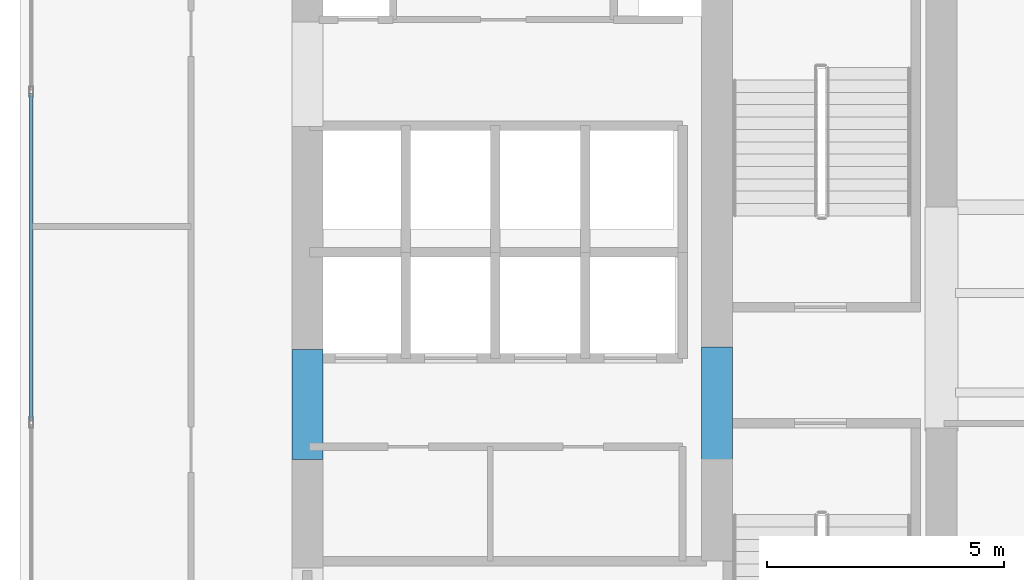
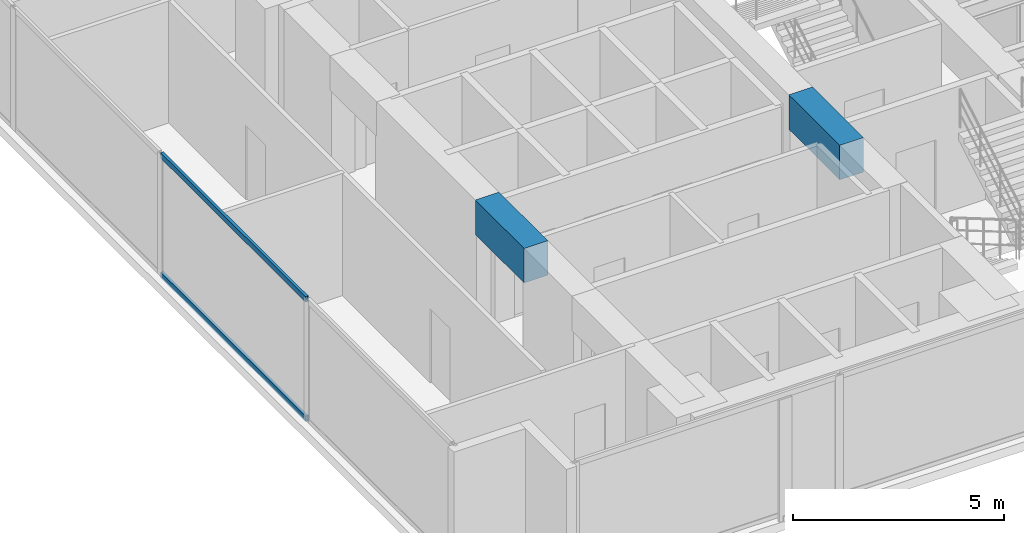
# One storey, part 3 of 26: 2 beams, 2 members, 1 element without a shape of its own.
"""IFC4 building model written with IfcOpenShell, lengths in metres."""

from ifc_helpers import new_model, si_unit, direction, frame, origin, origin_with_axes, origin_2d, place, context, subcontext, project, spatial, rectangle, hollow_rectangle, extrude, source, transform, mapped, material, layer, layer_set, material_profile, profile_set, type_object, element, aggregate, save


model = new_model("IFC4")

# Units and contexts
model_context = context("Model", 3, precision=1e-05, world=origin(), true_north=direction((0.0, 1.0)))
body_context = subcontext(model_context, "Body", "Model", "MODEL_VIEW")
ifc_project = project(units=[si_unit("LENGTHUNIT", "METRE"), si_unit("AREAUNIT", "SQUARE_METRE"), si_unit("VOLUMEUNIT", "CUBIC_METRE"), si_unit("PLANEANGLEUNIT", "RADIAN"), si_unit("MASSUNIT", "GRAM", prefix="KILO")], contexts=[model_context])

# Site, building, storey
site_placement = place(None, origin())
site = spatial("IfcSite", under=ifc_project, at=site_placement, CompositionType="ELEMENT")
building_placement = place(site_placement, origin())
building = spatial("IfcBuilding", under=site, at=building_placement, Name="Kolvaren Waterfront Exchange", CompositionType="ELEMENT")
storey_placement = place(building_placement, frame((0.0, 0.0, 125.89990234375)))
storey = spatial("IfcBuildingStorey", under=building, at=storey_placement, Name="L32", CompositionType="ELEMENT", Elevation=125.89990234375)

# Beams
ifc_material_1 = material(Name="Concrete C60/75", Category="concrete")
ifc_material_profile_1 = material_profile(ifc_material_1, rectangle(XDim=0.64990234375, YDim=1.0, at=origin_2d()), Name="RC-CB-1000x650")
ifc_profile_set_1 = profile_set([ifc_material_profile_1], Name="Concrete C60/75")
beam_type = type_object("IfcBeamType", Name="STR-CB-1000", PredefinedType="SPANDREL", material=ifc_profile_set_1)
beam_1_placement = place(storey_placement, frame((7.449951171875, 12.090087890625, 3.0400390625), z_axis=(0.0, 1.0, 0.0), x_axis=(-1.0, 0.0, 0.0)))
element("IfcBeam", 1, at=beam_1_placement, inside=storey, type_object=beam_type, Name="L32 core coupling beam 4", PredefinedType="SPANDREL", context=body_context, shape_type="SweptSolid", body=[
    extrude(rectangle(XDim=0.64990234375, YDim=1.0, at=origin_2d()), origin(), (0.0, 0.0, 1.0), 2.31982421875),
])
beam_2_placement = place(storey_placement, frame((16.074951171875, 12.0400390625, 3.0400390625), z_axis=(0.0, 1.0, 0.0), x_axis=(-1.0, 0.0, 0.0)))
element("IfcBeam", 2, at=beam_2_placement, inside=storey, type_object=beam_type, Name="L32 core coupling beam 6", PredefinedType="SPANDREL", context=body_context, shape_type="SweptSolid", body=[
    extrude(rectangle(XDim=0.64990234375, YDim=1.0, at=origin_2d()), origin(), (0.0, 0.0, 1.0), 2.419921875),
])

# Curtain wall, members
ifc_material_2 = material(Name="Anodised aluminium 6063-T6", Category="aluminium")
ifc_layer = layer(ifc_material_2, 0.219970703125, Name="Anodised aluminium 6063-T6")
ifc_layer_set = layer_set([ifc_layer], Name="Anodised aluminium 6063-T6")
curtain_wall_type = type_object("IfcCurtainWallType", Name="ARC-CW-SYS2", PredefinedType="USERDEFINED", material=ifc_layer_set)
curtain_wall_placement = place(storey_placement, origin())
curtain_wall = element("IfcCurtainWall", 3, at=curtain_wall_placement, inside=storey, type_object=curtain_wall_type, Name="L32 stick curtain wall CW2 (CW-L32-W)", ObjectType="STICK CURTAIN WALL", PredefinedType="USERDEFINED")
ifc_material_profile_2 = material_profile(ifc_material_2, hollow_rectangle(XDim=0.074951171875, YDim=0.159912109375, WallThickness=0.00439453125, at=origin_2d()), Name="ALU-TRN-160x75x4.5")
ifc_profile_set_2 = profile_set([ifc_material_profile_2], Name="Anodised aluminium 6063-T6")
member_type = type_object("IfcMemberType", Name="ARC-CWT-160", PredefinedType="USERDEFINED", material=ifc_profile_set_2)
shared_shape = source(origin_with_axes(), body_context, "Body", "SweptSolid", [
    extrude(hollow_rectangle(XDim=0.074951171875, YDim=0.159912109375, WallThickness=0.00439453125, at=origin_2d()), origin(), (0.0, 0.0, 1.0), 6.886474609375),
])
member_1_placement = place(storey_placement, frame((1.639892578125, 12.90673828125, 0.03759765625), z_axis=(0.0, 1.0, 0.0), x_axis=(-1.0, 0.0, 0.0)))
member_1 = element("IfcMember", 4, at=member_1_placement, type_object=member_type, Name="CW2 transom 2.1", ObjectType="TRANSOM", PredefinedType="USERDEFINED", context=body_context, shape_type="MappedRepresentation", body=[
    mapped(shared_shape, transform((0.0, 0.0, 0.0), x_axis=(1.0, 0.0, 0.0), y_axis=(0.0, 1.0, 0.0), z_axis=(0.0, 0.0, 1.0), scale=1.0)),
])
member_2_placement = place(storey_placement, frame((1.639892578125, 12.90673828125, 3.502685546875), z_axis=(0.0, 1.0, 0.0), x_axis=(-1.0, 0.0, 0.0)))
member_2 = element("IfcMember", 5, at=member_2_placement, type_object=member_type, Name="CW2 transom 2.2", ObjectType="TRANSOM", PredefinedType="USERDEFINED", context=body_context, shape_type="MappedRepresentation", body=[
    mapped(shared_shape, transform((0.0, 0.0, 0.0), x_axis=(1.0, 0.0, 0.0), y_axis=(0.0, 1.0, 0.0), z_axis=(0.0, 0.0, 1.0), scale=1.0)),
])
aggregate(curtain_wall, [member_1, member_2])

save(model, "model.ifc")
